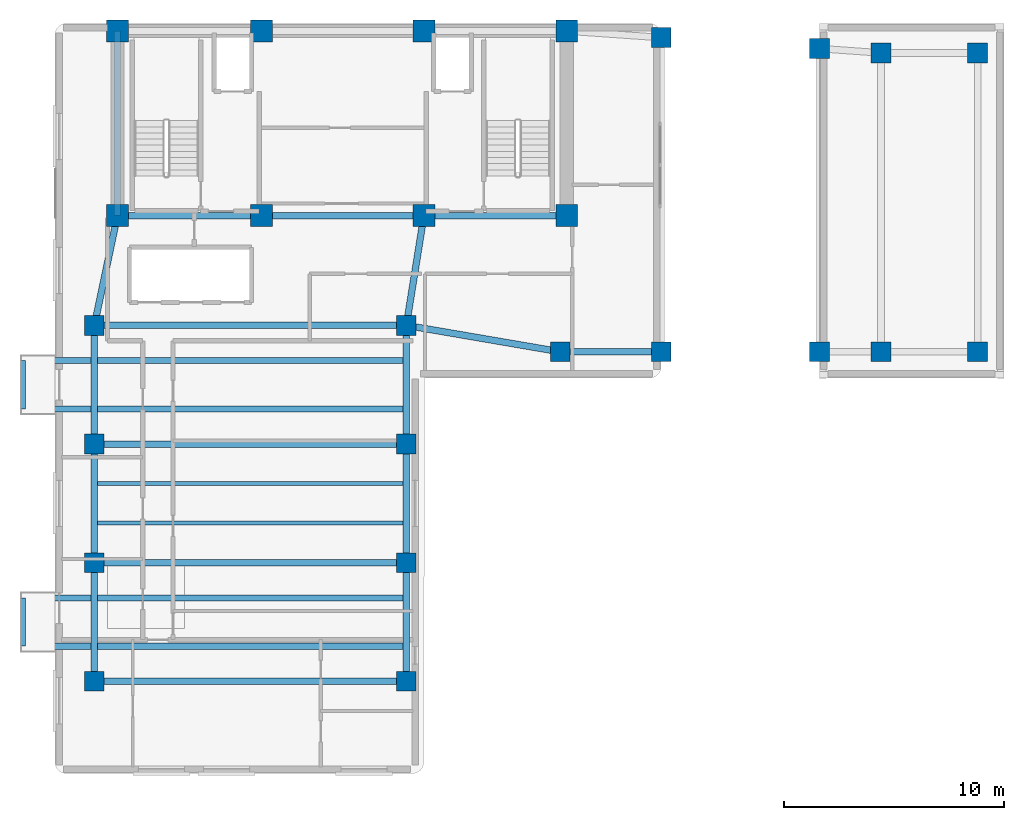
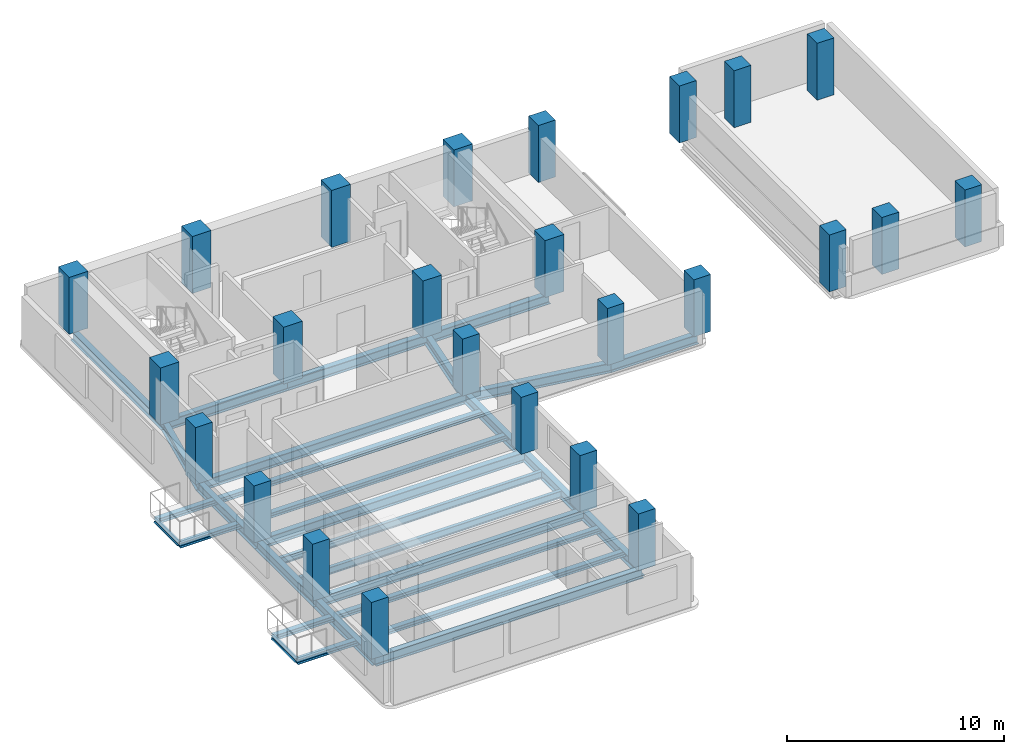
# One storey, part 1 of 9: 26 beams, 25 columns.
"""IFC4 building model written with IfcOpenShell, lengths in metres."""

from ifc_helpers import new_model, si_unit, direction, frame, origin, origin_2d, place, context, subcontext, project, spatial, rectangle, i_section, extrude, material, material_profile, profile_set, type_object, element, save


model = new_model("IFC4")

# Units and contexts
model_context = context("Model", 3, precision=1e-05, world=origin(), true_north=direction((0.0, 1.0)))
body_context = subcontext(model_context, "Body", "Model", "MODEL_VIEW")
ifc_project = project(units=[si_unit("LENGTHUNIT", "METRE"), si_unit("AREAUNIT", "SQUARE_METRE"), si_unit("VOLUMEUNIT", "CUBIC_METRE"), si_unit("PLANEANGLEUNIT", "RADIAN"), si_unit("MASSUNIT", "GRAM", prefix="KILO")], contexts=[model_context])

# Site, building, storey
site_placement = place(None, origin())
site = spatial("IfcSite", under=ifc_project, at=site_placement, CompositionType="ELEMENT")
building_placement = place(site_placement, origin())
building = spatial("IfcBuilding", under=site, at=building_placement, Name="Kuzgunbayir Cultural Tower", CompositionType="ELEMENT")
storey_placement = place(building_placement, frame((0.0, 0.0, 166.39990234375)))
storey = spatial("IfcBuildingStorey", under=building, at=storey_placement, Name="L48", CompositionType="ELEMENT", Elevation=166.39990234375)

# Columns
ifc_material_1 = material(Name="Concrete C50/60", Category="concrete")
ifc_material_profile_1 = material_profile(ifc_material_1, rectangle(XDim=1.0, YDim=1.0, at=origin_2d()), Name="RC 1000x1000")
ifc_profile_set_1 = profile_set([ifc_material_profile_1], Name="Concrete C50/60")
column_type_1 = type_object("IfcColumnType", Name="COL-CORE-1000", PredefinedType="COLUMN", material=ifc_profile_set_1)
for number, where, z_axis, x_axis, name in (
    (1, (6.449951171875, 33.800048828125, 0.0), (0.0, 0.0, 1.0), (1.0, 0.0, 0.0), "L48 T1 Core Boundary Column CC1-1"),
    (2, (13.0, 33.800048828125, 0.0), (0.0, 0.0, 1.0), (1.0, 0.0, 0.0), "L48 T1 Core Boundary Column CC1-2"),
    (3, (20.39990234375, 33.800048828125, 0.0), (0.0, 0.0, 1.0), (1.0, 0.0, 0.0), "L48 T1 Core Boundary Column CC1-3"),
    (4, (26.89990234375, 33.800048828125, 0.0), (0.0, 0.0, 1.0), (1.0, 0.0, 0.0), "L48 T1 Core Boundary Column CC1-4"),
    (5, (6.449951171875, 42.199951171875, 0.0), (0.0, 0.0, 1.0), (1.0, 0.0, 0.0), "L48 T1 Core Boundary Column CC1-5"),
    (6, (13.0, 42.199951171875, 0.0), (0.0, 0.0, 1.0), (1.0, 0.0, 0.0), "L48 T1 Core Boundary Column CC1-6"),
    (7, (20.39990234375, 42.199951171875, 0.0), (0.0, 0.0, 1.0), (1.0, 0.0, 0.0), "L48 T1 Core Boundary Column CC1-7"),
    (8, (26.89990234375, 42.199951171875, 0.0), (0.0, 0.0, 1.0), (1.0, 0.0, 0.0), "L48 T1 Core Boundary Column CC1-8"),
):
    element("IfcColumn", number, at=place(storey_placement, frame(where, z_axis=z_axis, x_axis=x_axis)), inside=storey, type_object=column_type_1, Name=name, PredefinedType="COLUMN", context=body_context, shape_type="SweptSolid", body=[
        extrude(rectangle(XDim=1.0, YDim=1.0, at=origin_2d()), origin(), (0.0, 0.0, 1.0), 3.2001953125),
    ])
ifc_material_profile_2 = material_profile(ifc_material_1, rectangle(XDim=0.89990234375, YDim=0.89990234375, at=origin_2d()), Name="RC 900x900")
ifc_profile_set_2 = profile_set([ifc_material_profile_2], Name="Concrete C50/60")
column_type_2 = type_object("IfcColumnType", Name="COL-T1-900", PredefinedType="COLUMN", material=ifc_profile_set_2)
for number, where, z_axis, x_axis, name in (
    (9, (5.39990234375, 12.60009765625, 0.0), (0.0, 0.0, 1.0), (1.0, 0.0, 0.0), "L48 Tower 1 Wing A Column T1A-W-1"),
    (10, (19.60009765625, 12.60009765625, 0.0), (0.0, 0.0, 1.0), (1.0, 0.0, 0.0), "L48 Tower 1 Wing A Column T1A-E-1"),
    (11, (5.39990234375, 18.0, 0.0), (0.0, 0.0, 1.0), (1.0, 0.0, 0.0), "L48 Tower 1 Wing A Column T1A-W-2"),
    (12, (19.60009765625, 18.0, 0.0), (0.0, 0.0, 1.0), (1.0, 0.0, 0.0), "L48 Tower 1 Wing A Column T1A-E-2"),
    (13, (5.39990234375, 23.39990234375, 0.0), (0.0, 0.0, 1.0), (1.0, 0.0, 0.0), "L48 Tower 1 Wing A Column T1A-W-3"),
    (14, (19.60009765625, 23.39990234375, 0.0), (0.0, 0.0, 1.0), (1.0, 0.0, 0.0), "L48 Tower 1 Wing A Column T1A-E-3"),
    (15, (5.39990234375, 28.800048828125, 0.0), (0.0, 0.0, 1.0), (1.0, 0.0, 0.0), "L48 Tower 1 Wing A Column T1A-W-4"),
    (16, (19.60009765625, 28.800048828125, 0.0), (0.0, 0.0, 1.0), (1.0, 0.0, 0.0), "L48 Tower 1 Wing A Column T1A-E-4"),
    (17, (26.60009765625, 27.60009765625, 0.0), (0.0, 0.0, 1.0), (1.0, 0.0, 0.0), "L48 Tower 1 Wing B Column T1B-1-1"),
    (18, (31.199951171875, 27.60009765625, 0.0), (0.0, 0.0, 1.0), (1.0, 0.0, 0.0), "L48 Tower 1 Wing B Column T1B-2-1"),
    (19, (31.199951171875, 41.89990234375, 0.0), (0.0, 0.0, 1.0), (1.0, 0.0, 0.0), "L48 Tower 1 Wing B Column T1B-2-2"),
    (20, (38.39990234375, 27.60009765625, 0.0), (0.0, 0.0, 1.0), (1.0, 0.0, 0.0), "L48 Tower 1 Wing B Column T1B-3-1"),
    (21, (38.39990234375, 41.39990234375, 0.0), (0.0, 0.0, 1.0), (1.0, 0.0, 0.0), "L48 Tower 1 Wing B Column T1B-3-2"),
    (22, (41.199951171875, 27.60009765625, 0.0), (0.0, 0.0, 1.0), (1.0, 0.0, 0.0), "L48 Tower 1 Wing B Column T1B-4-1"),
    (23, (41.199951171875, 41.199951171875, 0.0), (0.0, 0.0, 1.0), (1.0, 0.0, 0.0), "L48 Tower 1 Wing B Column T1B-4-2"),
    (24, (45.60009765625, 27.60009765625, 0.0), (0.0, 0.0, 1.0), (1.0, 0.0, 0.0), "L48 Tower 1 Wing B Column T1B-5-1"),
    (25, (45.60009765625, 41.199951171875, 0.0), (0.0, 0.0, 1.0), (1.0, 0.0, 0.0), "L48 Tower 1 Wing B Column T1B-5-2"),
):
    element("IfcColumn", number, at=place(storey_placement, frame(where, z_axis=z_axis, x_axis=x_axis)), inside=storey, type_object=column_type_2, Name=name, PredefinedType="COLUMN", context=body_context, shape_type="SweptSolid", body=[
        extrude(rectangle(XDim=0.89990234375, YDim=0.89990234375, at=origin_2d()), origin(), (0.0, 0.0, 1.0), 3.2001953125),
    ])

# Beams
ifc_material_2 = material(Name="Steel S355J2", Category="steel")
ifc_material_profile_3 = material_profile(ifc_material_2, i_section(OverallWidth=0.280029296875, OverallDepth=0.280029296875, WebThickness=0.010498046875, FlangeThickness=0.01806640625, FilletRadius=0.02392578125, at=origin_2d()), Name="HEB 280")
ifc_profile_set_3 = profile_set([ifc_material_profile_3], Name="Steel S355J2")
beam_type_1 = type_object("IfcBeamType", Name="BM-BAL-HEB280", PredefinedType="BEAM", material=ifc_profile_set_3)
for number, where, z_axis, x_axis, name in (
    (26, (2.159912109375, 14.199951171875, -0.33984375), (1.0, 0.0, 0.0), (0.0, 1.0, 0.0), "L48 Balcony Outrigger Beam BAL-L48-WA1.1"),
    (27, (2.159912109375, 16.39990234375, -0.33984375), (1.0, 0.0, 0.0), (0.0, 1.0, 0.0), "L48 Balcony Outrigger Beam BAL-L48-WA1.2"),
    (28, (2.159912109375, 25.0, -0.33984375), (1.0, 0.0, 0.0), (0.0, 1.0, 0.0), "L48 Balcony Outrigger Beam BAL-L48-WA3.1"),
    (29, (2.159912109375, 27.199951171875, -0.33984375), (1.0, 0.0, 0.0), (0.0, 1.0, 0.0), "L48 Balcony Outrigger Beam BAL-L48-WA3.2"),
):
    element("IfcBeam", number, at=place(storey_placement, frame(where, z_axis=z_axis, x_axis=x_axis)), inside=storey, type_object=beam_type_1, Name=name, PredefinedType="BEAM", context=body_context, shape_type="SweptSolid", body=[
        extrude(i_section(OverallWidth=0.280029296875, OverallDepth=0.280029296875, WebThickness=0.010498046875, FlangeThickness=0.01806640625, FilletRadius=0.02392578125, at=origin_2d()), origin(), (0.0, 0.0, 1.0), 17.440185546875),
    ])
ifc_material_profile_4 = material_profile(ifc_material_2, i_section(OverallWidth=0.199951171875, OverallDepth=0.199951171875, WebThickness=0.009033203125, FlangeThickness=0.014892578125, FilletRadius=0.01806640625, at=origin_2d()), Name="HEB 200")
ifc_profile_set_4 = profile_set([ifc_material_profile_4], Name="Steel S355J2")
beam_type_2 = type_object("IfcBeamType", Name="BM-CAN-HEB200", PredefinedType="BEAM", material=ifc_profile_set_4)
for number, where, z_axis, x_axis, name in (
    (30, (2.159912109375, 14.199951171875, -0.2998046875), (0.0, 1.0, 0.0), (-1.0, 0.0, 0.0), "L48 Balcony Edge Header BAL-L48-WA1"),
    (31, (2.159912109375, 25.0, -0.2998046875), (0.0, 1.0, 0.0), (-1.0, 0.0, 0.0), "L48 Balcony Edge Header BAL-L48-WA3"),
):
    element("IfcBeam", number, at=place(storey_placement, frame(where, z_axis=z_axis, x_axis=x_axis)), inside=storey, type_object=beam_type_2, Name=name, PredefinedType="BEAM", context=body_context, shape_type="SweptSolid", body=[
        extrude(i_section(OverallWidth=0.199951171875, OverallDepth=0.199951171875, WebThickness=0.009033203125, FlangeThickness=0.014892578125, FilletRadius=0.01806640625, at=origin_2d()), origin(), (0.0, 0.0, 1.0), 2.199951171875),
    ])
ifc_material_profile_5 = material_profile(ifc_material_2, i_section(OverallWidth=0.300048828125, OverallDepth=0.550048828125, WebThickness=0.014892578125, FlangeThickness=0.029052734375, FilletRadius=0.027099609375, at=origin_2d()), Name="HEB 550")
ifc_profile_set_5 = profile_set([ifc_material_profile_5], Name="Steel S355J2")
beam_type_3 = type_object("IfcBeamType", Name="BM-EXT-HEB550", PredefinedType="BEAM", material=ifc_profile_set_5)
for number, where, z_axis, x_axis, name in (
    (32, (5.39990234375, 12.60009765625, -0.4599609375), (0.0, 1.0, 0.0), (-1.0, 0.0, 0.0), "L48 Wing A West Girder 1"),
    (33, (19.60009765625, 12.60009765625, -0.4599609375), (0.0, 1.0, 0.0), (-1.0, 0.0, 0.0), "L48 Wing A East Girder 1"),
    (34, (5.39990234375, 18.0, -0.4599609375), (0.0, 1.0, 0.0), (-1.0, 0.0, 0.0), "L48 Wing A West Girder 2"),
    (35, (19.60009765625, 18.0, -0.4599609375), (0.0, 1.0, 0.0), (-1.0, 0.0, 0.0), "L48 Wing A East Girder 2"),
):
    element("IfcBeam", number, at=place(storey_placement, frame(where, z_axis=z_axis, x_axis=x_axis)), inside=storey, type_object=beam_type_3, Name=name, PredefinedType="BEAM", context=body_context, shape_type="SweptSolid", body=[
        extrude(i_section(OverallWidth=0.300048828125, OverallDepth=0.550048828125, WebThickness=0.014892578125, FlangeThickness=0.029052734375, FilletRadius=0.027099609375, at=origin_2d()), origin(), (0.0, 0.0, 1.0), 5.39990234375),
    ])
for number, where, z_axis, x_axis, name in (
    (36, (5.39990234375, 23.39990234375, -0.4599609375), (0.0, 1.0, 0.0), (-1.0, 0.0, 0.0), "L48 Wing A West Girder 3"),
    (37, (19.60009765625, 23.39990234375, -0.4599609375), (0.0, 1.0, 0.0), (-1.0, 0.0, 0.0), "L48 Wing A East Girder 3"),
):
    element("IfcBeam", number, at=place(storey_placement, frame(where, z_axis=z_axis, x_axis=x_axis)), inside=storey, type_object=beam_type_3, Name=name, PredefinedType="BEAM", context=body_context, shape_type="SweptSolid", body=[
        extrude(i_section(OverallWidth=0.300048828125, OverallDepth=0.550048828125, WebThickness=0.014892578125, FlangeThickness=0.029052734375, FilletRadius=0.027099609375, at=origin_2d()), origin(), (0.0, 0.0, 1.0), 5.400146484375),
    ])
beam_1_placement = place(storey_placement, frame((26.60009765625, 27.60009765625, -0.4599609375), z_axis=(1.0, 0.0, 0.0), x_axis=(0.0, 1.0, 0.0)))
element("IfcBeam", 38, at=beam_1_placement, inside=storey, type_object=beam_type_3, Name="L48 Wing B South Girder", PredefinedType="BEAM", context=body_context, shape_type="SweptSolid", body=[
    extrude(i_section(OverallWidth=0.300048828125, OverallDepth=0.550048828125, WebThickness=0.014892578125, FlangeThickness=0.029052734375, FilletRadius=0.027099609375, at=origin_2d()), origin(), (0.0, 0.0, 1.0), 4.599853515625),
])
ifc_material_profile_6 = material_profile(ifc_material_2, i_section(OverallWidth=0.300048828125, OverallDepth=0.550048828125, WebThickness=0.014892578125, FlangeThickness=0.029052734375, FilletRadius=0.027099609375, at=origin_2d()), Name="HEB 550")
ifc_profile_set_6 = profile_set([ifc_material_profile_6], Name="Steel S355J2")
beam_type_4 = type_object("IfcBeamType", Name="BM-GIR-HEB550", PredefinedType="BEAM", material=ifc_profile_set_6)
beam_2_placement = place(storey_placement, frame((6.449951171875, 33.800048828125, -0.4599609375), z_axis=(1.0, 0.0, 0.0), x_axis=(0.0, 1.0, 0.0)))
element("IfcBeam", 39, at=beam_2_placement, inside=storey, type_object=beam_type_4, Name="L48 Core South Girder 1", PredefinedType="BEAM", context=body_context, shape_type="SweptSolid", body=[
    extrude(i_section(OverallWidth=0.300048828125, OverallDepth=0.550048828125, WebThickness=0.014892578125, FlangeThickness=0.029052734375, FilletRadius=0.027099609375, at=origin_2d()), origin(), (0.0, 0.0, 1.0), 6.550048828125),
])
beam_3_placement = place(storey_placement, frame((13.0, 33.800048828125, -0.4599609375), z_axis=(1.0, 0.0, 0.0), x_axis=(0.0, 1.0, 0.0)))
element("IfcBeam", 40, at=beam_3_placement, inside=storey, type_object=beam_type_4, Name="L48 Core South Girder 2", PredefinedType="BEAM", context=body_context, shape_type="SweptSolid", body=[
    extrude(i_section(OverallWidth=0.300048828125, OverallDepth=0.550048828125, WebThickness=0.014892578125, FlangeThickness=0.029052734375, FilletRadius=0.027099609375, at=origin_2d()), origin(), (0.0, 0.0, 1.0), 7.39990234375),
])
beam_4_placement = place(storey_placement, frame((20.39990234375, 33.800048828125, -0.4599609375), z_axis=(1.0, 0.0, 0.0), x_axis=(0.0, 1.0, 0.0)))
element("IfcBeam", 41, at=beam_4_placement, inside=storey, type_object=beam_type_4, Name="L48 Core South Girder 3", PredefinedType="BEAM", context=body_context, shape_type="SweptSolid", body=[
    extrude(i_section(OverallWidth=0.300048828125, OverallDepth=0.550048828125, WebThickness=0.014892578125, FlangeThickness=0.029052734375, FilletRadius=0.027099609375, at=origin_2d()), origin(), (0.0, 0.0, 1.0), 6.5),
])
beam_5_placement = place(storey_placement, frame((6.449951171875, 33.800048828125, -0.4599609375), z_axis=(0.0, 1.0, 0.0), x_axis=(-1.0, 0.0, 0.0)))
element("IfcBeam", 42, at=beam_5_placement, inside=storey, type_object=beam_type_4, Name="L48 Core West Edge Girder", PredefinedType="BEAM", context=body_context, shape_type="SweptSolid", body=[
    extrude(i_section(OverallWidth=0.300048828125, OverallDepth=0.550048828125, WebThickness=0.014892578125, FlangeThickness=0.029052734375, FilletRadius=0.027099609375, at=origin_2d()), origin(), (0.0, 0.0, 1.0), 8.39990234375),
])
for number, where, z_axis, x_axis, name in (
    (43, (5.39990234375, 12.60009765625, -0.4599609375), (1.0, 0.0, 0.0), (0.0, 1.0, 0.0), "L48 Wing A Transverse Girder 1"),
    (44, (5.39990234375, 18.0, -0.4599609375), (1.0, 0.0, 0.0), (0.0, 1.0, 0.0), "L48 Wing A Transverse Girder 2"),
    (45, (5.39990234375, 23.39990234375, -0.4599609375), (1.0, 0.0, 0.0), (0.0, 1.0, 0.0), "L48 Wing A Transverse Girder 3"),
    (46, (5.39990234375, 28.800048828125, -0.4599609375), (1.0, 0.0, 0.0), (0.0, 1.0, 0.0), "L48 Wing A Transverse Girder 4"),
):
    element("IfcBeam", number, at=place(storey_placement, frame(where, z_axis=z_axis, x_axis=x_axis)), inside=storey, type_object=beam_type_4, Name=name, PredefinedType="BEAM", context=body_context, shape_type="SweptSolid", body=[
        extrude(i_section(OverallWidth=0.300048828125, OverallDepth=0.550048828125, WebThickness=0.014892578125, FlangeThickness=0.029052734375, FilletRadius=0.027099609375, at=origin_2d()), origin(), (0.0, 0.0, 1.0), 14.2001953125),
    ])
beam_6_placement = place(storey_placement, frame((5.39990234375, 28.800048828125, -0.4599609375), z_axis=(0.205526387753, 0.978651574329, 0.0), x_axis=(-0.978651574329, 0.205526387753, 0.0)))
element("IfcBeam", 47, at=beam_6_placement, inside=storey, type_object=beam_type_4, Name="L48 Wing A West Core Floor Girder", PredefinedType="BEAM", context=body_context, shape_type="SweptSolid", body=[
    extrude(i_section(OverallWidth=0.300048828125, OverallDepth=0.550048828125, WebThickness=0.014892578125, FlangeThickness=0.029052734375, FilletRadius=0.027099609375, at=origin_2d()), origin(), (0.0, 0.0, 1.0), 5.109130859375),
])
beam_7_placement = place(storey_placement, frame((19.60009765625, 28.800048828125, -0.4599609375), z_axis=(0.157952891656, 0.987446648694, 0.0), x_axis=(-0.987446648694, 0.157952891656, 0.0)))
element("IfcBeam", 48, at=beam_7_placement, inside=storey, type_object=beam_type_4, Name="L48 Wing A East Core Floor Girder", PredefinedType="BEAM", context=body_context, shape_type="SweptSolid", body=[
    extrude(i_section(OverallWidth=0.300048828125, OverallDepth=0.550048828125, WebThickness=0.014892578125, FlangeThickness=0.029052734375, FilletRadius=0.027099609375, at=origin_2d()), origin(), (0.0, 0.0, 1.0), 5.0634765625),
])
beam_8_placement = place(storey_placement, frame((19.60009765625, 28.800048828125, -0.4599609375), z_axis=(0.985623399742, -0.168957136221, 0.0), x_axis=(0.168957136221, 0.985623399742, 0.0)))
element("IfcBeam", 49, at=beam_8_placement, inside=storey, type_object=beam_type_4, Name="L48 Wing B Waist Tie", PredefinedType="BEAM", context=body_context, shape_type="SweptSolid", body=[
    extrude(i_section(OverallWidth=0.300048828125, OverallDepth=0.550048828125, WebThickness=0.014892578125, FlangeThickness=0.029052734375, FilletRadius=0.027099609375, at=origin_2d()), origin(), (0.0, 0.0, 1.0), 7.10205078125),
])
ifc_material_profile_7 = material_profile(ifc_material_2, i_section(OverallWidth=0.179931640625, OverallDepth=0.39990234375, WebThickness=0.008544921875, FlangeThickness=0.013427734375, FilletRadius=0.02099609375, at=origin_2d()), Name="IPE 400")
ifc_profile_set_7 = profile_set([ifc_material_profile_7], Name="Steel S355J2")
beam_type_5 = type_object("IfcBeamType", Name="BM-JST-IPE400", PredefinedType="JOIST", material=ifc_profile_set_7)
for number, where, z_axis, x_axis, name in (
    (50, (5.550048828125, 19.800048828125, -0.3798828125), (1.0, 0.0, 0.0), (0.0, 1.0, 0.0), "L48 Wing A Secondary Joist 3"),
    (51, (5.550048828125, 21.60009765625, -0.3798828125), (1.0, 0.0, 0.0), (0.0, 1.0, 0.0), "L48 Wing A Secondary Joist 4"),
):
    element("IfcBeam", number, at=place(storey_placement, frame(where, z_axis=z_axis, x_axis=x_axis)), inside=storey, type_object=beam_type_5, Name=name, PredefinedType="JOIST", context=body_context, shape_type="SweptSolid", body=[
        extrude(i_section(OverallWidth=0.179931640625, OverallDepth=0.39990234375, WebThickness=0.008544921875, FlangeThickness=0.013427734375, FilletRadius=0.02099609375, at=origin_2d()), origin(), (0.0, 0.0, 1.0), 13.89990234375),
    ])

save(model, "model.ifc")
